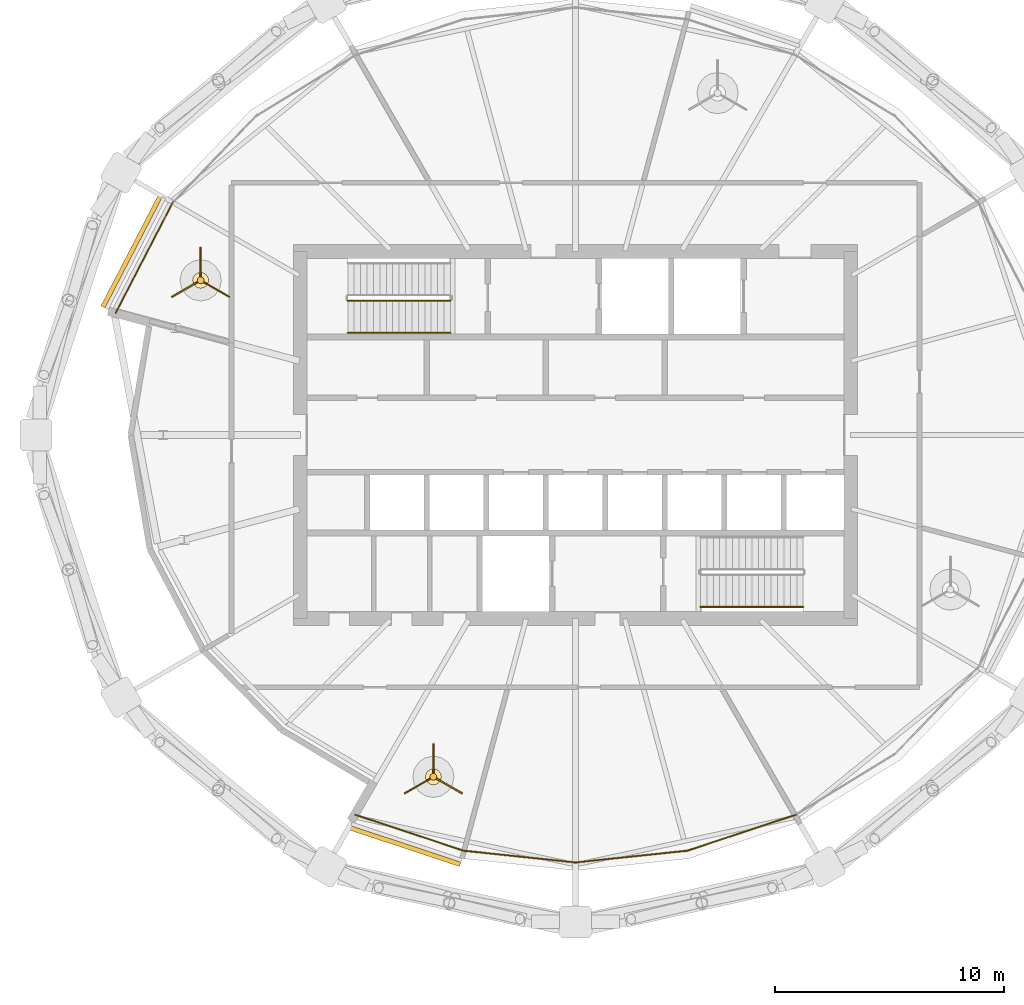
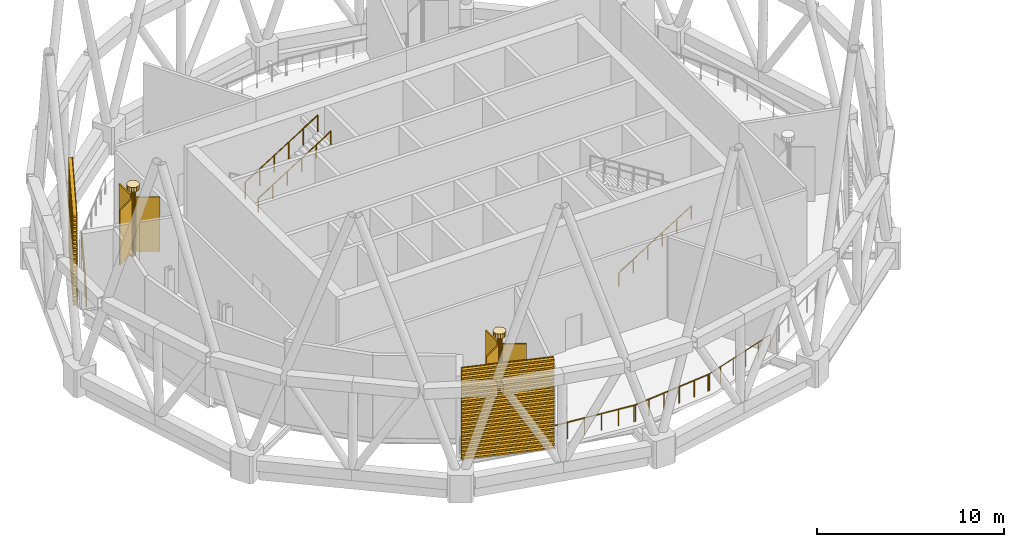
# One storey, part 15 of 22: 10 coverings, 8 railings, 2 shading devices.
"""IFC4 building model written with IfcOpenShell, lengths in metres."""

from ifc_helpers import new_model, si_unit, direction, frame, origin, origin_2d, place, context, subcontext, project, spatial, polyline, circle, outline, extrude, material, material_profile, profile_set, type_object, element, save


model = new_model("IFC4")

# Units and contexts
model_context = context("Model", 3, precision=1e-05, world=origin(), true_north=direction((0.0, 1.0)))
body_context = subcontext(model_context, "Body", "Model", "MODEL_VIEW")
ifc_project = project(units=[si_unit("LENGTHUNIT", "METRE"), si_unit("AREAUNIT", "SQUARE_METRE"), si_unit("VOLUMEUNIT", "CUBIC_METRE"), si_unit("PLANEANGLEUNIT", "RADIAN"), si_unit("MASSUNIT", "GRAM", prefix="KILO")], contexts=[model_context])

# Site, building, storey
site_placement = place(None, origin())
site = spatial("IfcSite", under=ifc_project, at=site_placement, CompositionType="ELEMENT")
building_placement = place(site_placement, origin())
building = spatial("IfcBuilding", under=site, at=building_placement, Name="Rimbun Link Towers", CompositionType="ELEMENT")
storey_placement = place(building_placement, frame((0.0, 0.0, 204.5)))
storey = spatial("IfcBuildingStorey", under=building, at=storey_placement, Name="L50", CompositionType="ELEMENT", Elevation=204.5)

# Railings
ifc_material_1 = material(Name="Stainless steel grade 316", Category="steel")
railing_type_1 = type_object("IfcRailingType", Name="GUARD stainless rail and posts", PredefinedType="GUARDRAIL", material=ifc_material_1)
railing_1_placement = place(storey_placement, frame((-31.7041015625, -18.645751953125, 0.0)))
element("IfcRailing", 1, at=railing_1_placement, inside=storey, type_object=railing_type_1, Name="GUARD open storey edge", PredefinedType="GUARDRAIL", context=body_context, shape_type="SweptSolid", body=[
    extrude(circle(Radius=0.02392578125, at=origin_2d()), frame((0.0, 0.0, 1.076171875), z_axis=(-0.994500344599, 0.104733302211, 0.0), x_axis=(-0.104733302211, -0.994500344599, 0.0)), (0.0, 0.0, 1.0), 4.976806640625),
    extrude(circle(Radius=0.02099609375, at=origin_2d()), origin(), (0.0, 0.0, 1.0), 1.052001953125),
    extrude(circle(Radius=0.02099609375, at=origin_2d()), frame((-0.989990234375, 0.104248046875, 0.0)), (0.0, 0.0, 1.0), 1.052001953125),
    extrude(circle(Radius=0.02099609375, at=origin_2d()), frame((-1.979736328125, 0.20849609375, 0.0)), (0.0, 0.0, 1.0), 1.052001953125),
    extrude(circle(Radius=0.02099609375, at=origin_2d()), frame((-2.9697265625, 0.312744140625, 0.0)), (0.0, 0.0, 1.0), 1.052001953125),
    extrude(circle(Radius=0.02099609375, at=origin_2d()), frame((-3.95947265625, 0.4169921875, 0.0)), (0.0, 0.0, 1.0), 1.052001953125),
    extrude(circle(Radius=0.02099609375, at=origin_2d()), frame((-4.949462890625, 0.521240234375, 0.0)), (0.0, 0.0, 1.0), 1.052001953125),
])
railing_2_placement = place(storey_placement, frame((-26.846435546875, -18.12451171875, 0.0)))
element("IfcRailing", 2, at=railing_2_placement, inside=storey, type_object=railing_type_1, Name="GUARD open storey edge", PredefinedType="GUARDRAIL", context=body_context, shape_type="SweptSolid", body=[
    extrude(circle(Radius=0.02392578125, at=origin_2d()), frame((0.0, 0.0, 1.076171875), z_axis=(-0.994500344599, -0.104733302211, 0.0), x_axis=(0.104733302211, -0.994500344599, 0.0)), (0.0, 0.0, 1.0), 4.976806640625),
    extrude(circle(Radius=0.02099609375, at=origin_2d()), origin(), (0.0, 0.0, 1.0), 1.052001953125),
    extrude(circle(Radius=0.02099609375, at=origin_2d()), frame((-0.989990234375, -0.104248046875, 0.0)), (0.0, 0.0, 1.0), 1.052001953125),
    extrude(circle(Radius=0.02099609375, at=origin_2d()), frame((-1.979736328125, -0.20849609375, 0.0)), (0.0, 0.0, 1.0), 1.052001953125),
    extrude(circle(Radius=0.02099609375, at=origin_2d()), frame((-2.9697265625, -0.312744140625, 0.0)), (0.0, 0.0, 1.0), 1.052001953125),
    extrude(circle(Radius=0.02099609375, at=origin_2d()), frame((-3.95947265625, -0.4169921875, 0.0)), (0.0, 0.0, 1.0), 1.052001953125),
    extrude(circle(Radius=0.02099609375, at=origin_2d()), frame((-4.949462890625, -0.521240234375, 0.0)), (0.0, 0.0, 1.0), 1.052001953125),
])
railing_3_placement = place(storey_placement, frame((-22.1376953125, -16.55859375, 0.0)))
element("IfcRailing", 3, at=railing_3_placement, inside=storey, type_object=railing_type_1, Name="GUARD open storey edge", PredefinedType="GUARDRAIL", context=body_context, shape_type="SweptSolid", body=[
    extrude(circle(Radius=0.02392578125, at=origin_2d()), frame((0.0, 0.0, 1.076171875), z_axis=(-0.949246983251, -0.314531659438, 0.0), x_axis=(0.314531659438, -0.949246983251, 0.0)), (0.0, 0.0, 1.0), 5.053955078125),
    extrude(circle(Radius=0.02099609375, at=origin_2d()), origin(), (0.0, 0.0, 1.0), 1.052001953125),
    extrude(circle(Radius=0.02099609375, at=origin_2d()), frame((-0.95947265625, -0.31787109375, 0.0)), (0.0, 0.0, 1.0), 1.052001953125),
    extrude(circle(Radius=0.02099609375, at=origin_2d()), frame((-1.9189453125, -0.6357421875, 0.0)), (0.0, 0.0, 1.0), 1.052001953125),
    extrude(circle(Radius=0.02099609375, at=origin_2d()), frame((-2.87841796875, -0.953857421875, 0.0)), (0.0, 0.0, 1.0), 1.052001953125),
    extrude(circle(Radius=0.02099609375, at=origin_2d()), frame((-3.837890625, -1.271728515625, 0.0)), (0.0, 0.0, 1.0), 1.052001953125),
    extrude(circle(Radius=0.02099609375, at=origin_2d()), frame((-4.79736328125, -1.589599609375, 0.0)), (0.0, 0.0, 1.0), 1.052001953125),
])
railing_4_placement = place(storey_placement, frame((-51.800537109375, 5.32568359375, 0.0)))
element("IfcRailing", 4, at=railing_4_placement, inside=storey, type_object=railing_type_1, Name="GUARD slot edge", PredefinedType="GUARDRAIL", context=body_context, shape_type="SweptSolid", body=[
    extrude(circle(Radius=0.02392578125, at=origin_2d()), frame((0.0, 0.0, 1.076171875), z_axis=(0.459554167849, 0.888149743463, 0.0), x_axis=(-0.888149743463, 0.459554167849, 0.0)), (0.0, 0.0, 1.0), 5.465087890625),
    extrude(circle(Radius=0.02099609375, at=origin_2d()), origin(), (0.0, 0.0, 1.0), 1.052001953125),
    extrude(circle(Radius=0.02099609375, at=origin_2d()), frame((0.502197265625, 0.970703125, 0.0)), (0.0, 0.0, 1.0), 1.052001953125),
    extrude(circle(Radius=0.02099609375, at=origin_2d()), frame((1.004638671875, 1.94140625, 0.0)), (0.0, 0.0, 1.0), 1.052001953125),
    extrude(circle(Radius=0.02099609375, at=origin_2d()), frame((1.5068359375, 2.912353515625, 0.0)), (0.0, 0.0, 1.0), 1.052001953125),
    extrude(circle(Radius=0.02099609375, at=origin_2d()), frame((2.00927734375, 3.883056640625, 0.0)), (0.0, 0.0, 1.0), 1.052001953125),
    extrude(circle(Radius=0.02099609375, at=origin_2d()), frame((2.511474609375, 4.853759765625, 0.0)), (0.0, 0.0, 1.0), 1.052001953125),
])
railing_5_placement = place(storey_placement, frame((-36.56494140625, -18.148193359375, 0.0)))
element("IfcRailing", 5, at=railing_5_placement, inside=storey, type_object=railing_type_1, Name="GUARD slot edge", PredefinedType="GUARDRAIL", context=body_context, shape_type="SweptSolid", body=[
    extrude(circle(Radius=0.02392578125, at=origin_2d()), frame((0.0, 0.0, 1.076171875), z_axis=(-0.949246983251, 0.314531659438, 0.0), x_axis=(-0.314531659438, -0.949246983251, 0.0)), (0.0, 0.0, 1.0), 5.053955078125),
    extrude(circle(Radius=0.02099609375, at=origin_2d()), origin(), (0.0, 0.0, 1.0), 1.052001953125),
    extrude(circle(Radius=0.02099609375, at=origin_2d()), frame((-0.95947265625, 0.31787109375, 0.0)), (0.0, 0.0, 1.0), 1.052001953125),
    extrude(circle(Radius=0.02099609375, at=origin_2d()), frame((-1.9189453125, 0.6357421875, 0.0)), (0.0, 0.0, 1.0), 1.052001953125),
    extrude(circle(Radius=0.02099609375, at=origin_2d()), frame((-2.87841796875, 0.953857421875, 0.0)), (0.0, 0.0, 1.0), 1.052001953125),
    extrude(circle(Radius=0.02099609375, at=origin_2d()), frame((-3.837890625, 1.271728515625, 0.0)), (0.0, 0.0, 1.0), 1.052001953125),
    extrude(circle(Radius=0.02099609375, at=origin_2d()), frame((-4.79736328125, 1.589599609375, 0.0)), (0.0, 0.0, 1.0), 1.052001953125),
])

# Shading devices
ifc_material_2 = material(Name="Aluminium 6063-T6", Category="aluminium")
ifc_material_profile = material_profile(ifc_material_2, outline(polyline([(0.123046875, 0.0), (0.1630859375, 0.0), (0.1630859375, 0.10009765625), (0.363037109375, 0.10009765625), (0.363037109375, 0.199951171875), (0.1630859375, 0.199951171875), (0.1630859375, 0.35009765625), (0.363037109375, 0.35009765625), (0.363037109375, 0.449951171875), (0.1630859375, 0.449951171875), (0.1630859375, 0.60009765625), (0.363037109375, 0.60009765625), (0.363037109375, 0.699951171875), (0.1630859375, 0.699951171875), (0.1630859375, 0.85009765625), (0.363037109375, 0.85009765625), (0.363037109375, 0.949951171875), (0.1630859375, 0.949951171875), (0.1630859375, 1.10009765625), (0.363037109375, 1.10009765625), (0.363037109375, 1.199951171875), (0.1630859375, 1.199951171875), (0.1630859375, 1.35009765625), (0.363037109375, 1.35009765625), (0.363037109375, 1.449951171875), (0.1630859375, 1.449951171875), (0.1630859375, 1.60009765625), (0.363037109375, 1.60009765625), (0.363037109375, 1.699951171875), (0.1630859375, 1.699951171875), (0.1630859375, 1.85009765625), (0.363037109375, 1.85009765625), (0.363037109375, 1.949951171875), (0.1630859375, 1.949951171875), (0.1630859375, 2.10009765625), (0.363037109375, 2.10009765625), (0.363037109375, 2.199951171875), (0.1630859375, 2.199951171875), (0.1630859375, 2.35009765625), (0.363037109375, 2.35009765625), (0.363037109375, 2.449951171875), (0.1630859375, 2.449951171875), (0.1630859375, 2.60009765625), (0.363037109375, 2.60009765625), (0.363037109375, 2.699951171875), (0.1630859375, 2.699951171875), (0.1630859375, 2.85009765625), (0.363037109375, 2.85009765625), (0.363037109375, 2.949951171875), (0.1630859375, 2.949951171875), (0.1630859375, 3.10009765625), (0.363037109375, 3.10009765625), (0.363037109375, 3.199951171875), (0.1630859375, 3.199951171875), (0.1630859375, 3.35009765625), (0.363037109375, 3.35009765625), (0.363037109375, 3.449951171875), (0.1630859375, 3.449951171875), (0.1630859375, 3.60009765625), (0.363037109375, 3.60009765625), (0.363037109375, 3.699951171875), (0.1630859375, 3.699951171875), (0.1630859375, 3.85009765625), (0.363037109375, 3.85009765625), (0.363037109375, 3.949951171875), (0.1630859375, 3.949951171875), (0.1630859375, 4.10009765625), (0.363037109375, 4.10009765625), (0.363037109375, 4.199951171875), (0.1630859375, 4.199951171875), (0.1630859375, 4.35009765625), (0.363037109375, 4.35009765625), (0.363037109375, 4.449951171875), (0.1630859375, 4.449951171875), (0.1630859375, 4.60009765625), (0.363037109375, 4.60009765625), (0.363037109375, 4.699951171875), (0.1630859375, 4.699951171875), (0.1630859375, 4.85009765625), (0.363037109375, 4.85009765625), (0.363037109375, 4.949951171875), (0.1630859375, 4.949951171875), (0.1630859375, 5.10009765625), (0.363037109375, 5.10009765625), (0.363037109375, 5.199951171875), (0.1630859375, 5.199951171875), (0.1630859375, 5.35009765625), (0.363037109375, 5.35009765625), (0.363037109375, 5.449951171875), (0.1630859375, 5.449951171875), (0.1630859375, 5.60009765625), (0.363037109375, 5.60009765625), (0.363037109375, 5.699951171875), (0.1630859375, 5.699951171875), (0.1630859375, 5.85009765625), (0.363037109375, 5.85009765625), (0.363037109375, 5.949951171875), (0.1630859375, 5.949951171875), (0.1630859375, 6.0), (0.123046875, 6.0), (0.123046875, 0.0)])), Name="LOUVRE BLADES 100X240")
ifc_profile_set = profile_set([ifc_material_profile], Name="Aluminium 6063-T6")
shading_device_type = type_object("IfcShadingDeviceType", Name="LOUVRE SLOT BLADES 100X240 H6000", PredefinedType="JALOUSIE", material=ifc_profile_set)
shading_device_1_placement = place(storey_placement, frame((-52.1240234375, 5.459228515625, 0.0), z_axis=(0.459518928025, 0.888167976673, 0.0), x_axis=(-0.888167976673, 0.459518928025, 0.0)))
element("IfcShadingDevice", 6, at=shading_device_1_placement, inside=storey, type_object=shading_device_type, Name="LOUVRE slot blades", PredefinedType="JALOUSIE", context=body_context, shape_type="SweptSolid", body=[
    extrude(outline(polyline([(0.123046875, 0.0), (0.1630859375, 0.0), (0.1630859375, 0.10009765625), (0.363037109375, 0.10009765625), (0.363037109375, 0.199951171875), (0.1630859375, 0.199951171875), (0.1630859375, 0.35009765625), (0.363037109375, 0.35009765625), (0.363037109375, 0.449951171875), (0.1630859375, 0.449951171875), (0.1630859375, 0.60009765625), (0.363037109375, 0.60009765625), (0.363037109375, 0.699951171875), (0.1630859375, 0.699951171875), (0.1630859375, 0.85009765625), (0.363037109375, 0.85009765625), (0.363037109375, 0.949951171875), (0.1630859375, 0.949951171875), (0.1630859375, 1.10009765625), (0.363037109375, 1.10009765625), (0.363037109375, 1.199951171875), (0.1630859375, 1.199951171875), (0.1630859375, 1.35009765625), (0.363037109375, 1.35009765625), (0.363037109375, 1.449951171875), (0.1630859375, 1.449951171875), (0.1630859375, 1.60009765625), (0.363037109375, 1.60009765625), (0.363037109375, 1.699951171875), (0.1630859375, 1.699951171875), (0.1630859375, 1.85009765625), (0.363037109375, 1.85009765625), (0.363037109375, 1.949951171875), (0.1630859375, 1.949951171875), (0.1630859375, 2.10009765625), (0.363037109375, 2.10009765625), (0.363037109375, 2.199951171875), (0.1630859375, 2.199951171875), (0.1630859375, 2.35009765625), (0.363037109375, 2.35009765625), (0.363037109375, 2.449951171875), (0.1630859375, 2.449951171875), (0.1630859375, 2.60009765625), (0.363037109375, 2.60009765625), (0.363037109375, 2.699951171875), (0.1630859375, 2.699951171875), (0.1630859375, 2.85009765625), (0.363037109375, 2.85009765625), (0.363037109375, 2.949951171875), (0.1630859375, 2.949951171875), (0.1630859375, 3.10009765625), (0.363037109375, 3.10009765625), (0.363037109375, 3.199951171875), (0.1630859375, 3.199951171875), (0.1630859375, 3.35009765625), (0.363037109375, 3.35009765625), (0.363037109375, 3.449951171875), (0.1630859375, 3.449951171875), (0.1630859375, 3.60009765625), (0.363037109375, 3.60009765625), (0.363037109375, 3.699951171875), (0.1630859375, 3.699951171875), (0.1630859375, 3.85009765625), (0.363037109375, 3.85009765625), (0.363037109375, 3.949951171875), (0.1630859375, 3.949951171875), (0.1630859375, 4.10009765625), (0.363037109375, 4.10009765625), (0.363037109375, 4.199951171875), (0.1630859375, 4.199951171875), (0.1630859375, 4.35009765625), (0.363037109375, 4.35009765625), (0.363037109375, 4.449951171875), (0.1630859375, 4.449951171875), (0.1630859375, 4.60009765625), (0.363037109375, 4.60009765625), (0.363037109375, 4.699951171875), (0.1630859375, 4.699951171875), (0.1630859375, 4.85009765625), (0.363037109375, 4.85009765625), (0.363037109375, 4.949951171875), (0.1630859375, 4.949951171875), (0.1630859375, 5.10009765625), (0.363037109375, 5.10009765625), (0.363037109375, 5.199951171875), (0.1630859375, 5.199951171875), (0.1630859375, 5.35009765625), (0.363037109375, 5.35009765625), (0.363037109375, 5.449951171875), (0.1630859375, 5.449951171875), (0.1630859375, 5.60009765625), (0.363037109375, 5.60009765625), (0.363037109375, 5.699951171875), (0.1630859375, 5.699951171875), (0.1630859375, 5.85009765625), (0.363037109375, 5.85009765625), (0.363037109375, 5.949951171875), (0.1630859375, 5.949951171875), (0.1630859375, 6.0), (0.123046875, 6.0), (0.123046875, 0.0)])), origin(), (0.0, 0.0, 1.0), 5.46484375),
])
shading_device_2_placement = place(storey_placement, frame((-36.699462890625, -18.471435546875, 0.0), z_axis=(-0.949227778646, 0.314589612425, 0.0), x_axis=(-0.314589612425, -0.949227778646, 0.0)))
element("IfcShadingDevice", 7, at=shading_device_2_placement, inside=storey, type_object=shading_device_type, Name="LOUVRE slot blades", PredefinedType="JALOUSIE", context=body_context, shape_type="SweptSolid", body=[
    extrude(outline(polyline([(0.123046875, 0.0), (0.1630859375, 0.0), (0.1630859375, 0.10009765625), (0.363037109375, 0.10009765625), (0.363037109375, 0.199951171875), (0.1630859375, 0.199951171875), (0.1630859375, 0.35009765625), (0.363037109375, 0.35009765625), (0.363037109375, 0.449951171875), (0.1630859375, 0.449951171875), (0.1630859375, 0.60009765625), (0.363037109375, 0.60009765625), (0.363037109375, 0.699951171875), (0.1630859375, 0.699951171875), (0.1630859375, 0.85009765625), (0.363037109375, 0.85009765625), (0.363037109375, 0.949951171875), (0.1630859375, 0.949951171875), (0.1630859375, 1.10009765625), (0.363037109375, 1.10009765625), (0.363037109375, 1.199951171875), (0.1630859375, 1.199951171875), (0.1630859375, 1.35009765625), (0.363037109375, 1.35009765625), (0.363037109375, 1.449951171875), (0.1630859375, 1.449951171875), (0.1630859375, 1.60009765625), (0.363037109375, 1.60009765625), (0.363037109375, 1.699951171875), (0.1630859375, 1.699951171875), (0.1630859375, 1.85009765625), (0.363037109375, 1.85009765625), (0.363037109375, 1.949951171875), (0.1630859375, 1.949951171875), (0.1630859375, 2.10009765625), (0.363037109375, 2.10009765625), (0.363037109375, 2.199951171875), (0.1630859375, 2.199951171875), (0.1630859375, 2.35009765625), (0.363037109375, 2.35009765625), (0.363037109375, 2.449951171875), (0.1630859375, 2.449951171875), (0.1630859375, 2.60009765625), (0.363037109375, 2.60009765625), (0.363037109375, 2.699951171875), (0.1630859375, 2.699951171875), (0.1630859375, 2.85009765625), (0.363037109375, 2.85009765625), (0.363037109375, 2.949951171875), (0.1630859375, 2.949951171875), (0.1630859375, 3.10009765625), (0.363037109375, 3.10009765625), (0.363037109375, 3.199951171875), (0.1630859375, 3.199951171875), (0.1630859375, 3.35009765625), (0.363037109375, 3.35009765625), (0.363037109375, 3.449951171875), (0.1630859375, 3.449951171875), (0.1630859375, 3.60009765625), (0.363037109375, 3.60009765625), (0.363037109375, 3.699951171875), (0.1630859375, 3.699951171875), (0.1630859375, 3.85009765625), (0.363037109375, 3.85009765625), (0.363037109375, 3.949951171875), (0.1630859375, 3.949951171875), (0.1630859375, 4.10009765625), (0.363037109375, 4.10009765625), (0.363037109375, 4.199951171875), (0.1630859375, 4.199951171875), (0.1630859375, 4.35009765625), (0.363037109375, 4.35009765625), (0.363037109375, 4.449951171875), (0.1630859375, 4.449951171875), (0.1630859375, 4.60009765625), (0.363037109375, 4.60009765625), (0.363037109375, 4.699951171875), (0.1630859375, 4.699951171875), (0.1630859375, 4.85009765625), (0.363037109375, 4.85009765625), (0.363037109375, 4.949951171875), (0.1630859375, 4.949951171875), (0.1630859375, 5.10009765625), (0.363037109375, 5.10009765625), (0.363037109375, 5.199951171875), (0.1630859375, 5.199951171875), (0.1630859375, 5.35009765625), (0.363037109375, 5.35009765625), (0.363037109375, 5.449951171875), (0.1630859375, 5.449951171875), (0.1630859375, 5.60009765625), (0.363037109375, 5.60009765625), (0.363037109375, 5.699951171875), (0.1630859375, 5.699951171875), (0.1630859375, 5.85009765625), (0.363037109375, 5.85009765625), (0.363037109375, 5.949951171875), (0.1630859375, 5.949951171875), (0.1630859375, 6.0), (0.123046875, 6.0), (0.123046875, 0.0)])), origin(), (0.0, 0.0, 1.0), 5.0537109375),
])

# Railings
ifc_material_3 = material(Name="Stainless steel grade 316", Category="steel")
railing_type_2 = type_object("IfcRailingType", Name="Stair guard", PredefinedType="GUARDRAIL", material=ifc_material_3)
railing_6_placement = place(storey_placement, frame((-41.679931640625, 5.85009765625, 3.176513671875)))
element("IfcRailing", 8, at=railing_6_placement, inside=storey, type_object=railing_type_2, Name="L50 ST1 stair guard 3", PredefinedType="GUARDRAIL", context=body_context, shape_type="SweptSolid", body=[
    extrude(circle(Radius=0.02392578125, at=origin_2d()), frame((0.0, 0.0, 1.076171875), z_axis=(0.845997938375, 0.0, 0.533186166611), x_axis=(0.0, 1.0, 0.0)), (0.0, 0.0, 1.0), 5.29541015625),
    extrude(circle(Radius=0.02099609375, at=origin_2d()), origin(), (0.0, 0.0, 1.0), 1.052001953125),
    extrude(circle(Radius=0.02099609375, at=origin_2d()), frame((0.89599609375, 0.0, 0.564697265625)), (0.0, 0.0, 1.0), 1.052001953125),
    extrude(circle(Radius=0.02099609375, at=origin_2d()), frame((1.7919921875, 0.0, 1.12939453125)), (0.0, 0.0, 1.0), 1.052001953125),
    extrude(circle(Radius=0.02099609375, at=origin_2d()), frame((2.68798828125, 0.0, 1.694091796875)), (0.0, 0.0, 1.0), 1.052001953125),
    extrude(circle(Radius=0.02099609375, at=origin_2d()), frame((3.583984375, 0.0, 2.2587890625)), (0.0, 0.0, 1.0), 1.052001953125),
    extrude(circle(Radius=0.02099609375, at=origin_2d()), frame((4.47998046875, 0.0, 2.823486328125)), (0.0, 0.0, 1.0), 1.052001953125),
])
ifc_material_4 = material(Name="Stainless steel grade 316", Category="steel")
railing_type_3 = type_object("IfcRailingType", Name="Stair handrail", PredefinedType="HANDRAIL", material=ifc_material_4)
for number, where, name in (
    (9, (-41.679931640625, 4.449951171875, 3.176513671875), "L50 ST1 stair handrail 2"),
    (10, (-26.300048828125, -7.5, 0.176513671875), "L50 ST2 stair handrail 1"),
):
    element("IfcRailing", number, at=place(storey_placement, frame(where)), inside=storey, type_object=railing_type_3, Name=name, PredefinedType="HANDRAIL", context=body_context, shape_type="SweptSolid", body=[
        extrude(circle(Radius=0.02392578125, at=origin_2d()), frame((0.0, 0.0, 0.8759765625), z_axis=(0.845997938375, 0.0, 0.533186166611), x_axis=(0.0, 1.0, 0.0)), (0.0, 0.0, 1.0), 5.29541015625),
        extrude(circle(Radius=0.02099609375, at=origin_2d()), origin(), (0.0, 0.0, 1.0), 0.851806640625),
        extrude(circle(Radius=0.02099609375, at=origin_2d()), frame((0.89599609375, 0.0, 0.564697265625)), (0.0, 0.0, 1.0), 0.851806640625),
        extrude(circle(Radius=0.02099609375, at=origin_2d()), frame((1.7919921875, 0.0, 1.12939453125)), (0.0, 0.0, 1.0), 0.851806640625),
        extrude(circle(Radius=0.02099609375, at=origin_2d()), frame((2.68798828125, 0.0, 1.694091796875)), (0.0, 0.0, 1.0), 0.851806640625),
        extrude(circle(Radius=0.02099609375, at=origin_2d()), frame((3.583984375, 0.0, 2.2587890625)), (0.0, 0.0, 1.0), 0.851806640625),
        extrude(circle(Radius=0.02099609375, at=origin_2d()), frame((4.47998046875, 0.0, 2.823486328125)), (0.0, 0.0, 1.0), 0.851806640625),
    ])

# Coverings
ifc_material_5 = material(Name="Stainless steel grade 316", Category="steel")
covering_type_1 = type_object("IfcCoveringType", Name="WIND TURBINE bearing collar 700X300", PredefinedType="CLADDING", material=ifc_material_5)
covering_1_placement = place(storey_placement, frame((0.0, 0.0, 5.56005859375)))
element("IfcCovering", 11, at=covering_1_placement, inside=storey, type_object=covering_type_1, Name="WIND TURBINE bearing collar", PredefinedType="CLADDING", context=body_context, shape_type="SweptSolid", body=[
    extrude(outline(polyline([(-47.7451171875, 6.7421875), (-47.771728515625, 6.876220703125), (-47.84765625, 6.989501953125), (-47.961181640625, 7.0654296875), (-48.09521484375, 7.092041015625), (-48.22900390625, 7.0654296875), (-48.342529296875, 6.989501953125), (-48.41845703125, 6.876220703125), (-48.445068359375, 6.7421875), (-48.41845703125, 6.608154296875), (-48.342529296875, 6.49462890625), (-48.22900390625, 6.418701171875), (-48.09521484375, 6.39208984375), (-47.961181640625, 6.418701171875), (-47.84765625, 6.49462890625), (-47.771728515625, 6.608154296875), (-47.7451171875, 6.7421875)])), origin(), (0.0, 0.0, 1.0), 0.300048828125),
])
covering_2_placement = place(storey_placement, frame((0.0, 0.0, 5.56005859375)))
element("IfcCovering", 12, at=covering_2_placement, inside=storey, type_object=covering_type_1, Name="WIND TURBINE bearing collar", PredefinedType="CLADDING", context=body_context, shape_type="SweptSolid", body=[
    extrude(outline(polyline([(-37.596435546875, -14.906494140625), (-37.623046875, -14.7724609375), (-37.698974609375, -14.658935546875), (-37.8125, -14.5830078125), (-37.946533203125, -14.556396484375), (-38.080322265625, -14.5830078125), (-38.194091796875, -14.658935546875), (-38.27001953125, -14.7724609375), (-38.29638671875, -14.906494140625), (-38.27001953125, -15.040283203125), (-38.194091796875, -15.15380859375), (-38.080322265625, -15.229736328125), (-37.946533203125, -15.25634765625), (-37.8125, -15.229736328125), (-37.698974609375, -15.15380859375), (-37.623046875, -15.040283203125), (-37.596435546875, -14.906494140625)])), origin(), (0.0, 0.0, 1.0), 0.300048828125),
])
ifc_material_6 = material(Name="Aluminium 6063-T6", Category="aluminium")
covering_type_2 = type_object("IfcCoveringType", Name="WIND TURBINE blade 1302X60X3560", PredefinedType="CLADDING", material=ifc_material_6)
covering_3_placement = place(storey_placement, frame((0.0, 0.0, 1.449951171875)))
element("IfcCovering", 13, at=covering_3_placement, inside=storey, type_object=covering_type_2, Name="WIND TURBINE blade", PredefinedType="CLADDING", context=body_context, shape_type="SweptSolid", body=[
    extrude(outline(polyline([(-48.065185546875, 6.89013671875), (-48.065185546875, 8.192138671875), (-48.125, 8.192138671875), (-48.125, 6.89013671875), (-48.065185546875, 6.89013671875)])), origin(), (0.0, 0.0, 1.0), 3.56005859375),
])
covering_4_placement = place(storey_placement, frame((0.0, 0.0, 1.449951171875)))
element("IfcCovering", 14, at=covering_4_placement, inside=storey, type_object=covering_type_2, Name="WIND TURBINE blade", PredefinedType="CLADDING", context=body_context, shape_type="SweptSolid", body=[
    extrude(outline(polyline([(-48.23828125, 6.694091796875), (-49.36572265625, 6.043212890625), (-49.335693359375, 5.9912109375), (-48.208251953125, 6.64208984375), (-48.23828125, 6.694091796875)])), origin(), (0.0, 0.0, 1.0), 3.56005859375),
])
covering_5_placement = place(storey_placement, frame((0.0, 0.0, 1.449951171875)))
element("IfcCovering", 15, at=covering_5_placement, inside=storey, type_object=covering_type_2, Name="WIND TURBINE blade", PredefinedType="CLADDING", context=body_context, shape_type="SweptSolid", body=[
    extrude(outline(polyline([(-47.98193359375, 6.64208984375), (-46.854248046875, 5.9912109375), (-46.82421875, 6.043212890625), (-47.951904296875, 6.694091796875), (-47.98193359375, 6.64208984375)])), origin(), (0.0, 0.0, 1.0), 3.56005859375),
])
covering_6_placement = place(storey_placement, frame((0.0, 0.0, 1.449951171875)))
element("IfcCovering", 16, at=covering_6_placement, inside=storey, type_object=covering_type_2, Name="WIND TURBINE blade", PredefinedType="CLADDING", context=body_context, shape_type="SweptSolid", body=[
    extrude(outline(polyline([(-37.91650390625, -14.75830078125), (-37.91650390625, -13.456298828125), (-37.9765625, -13.456298828125), (-37.9765625, -14.75830078125), (-37.91650390625, -14.75830078125)])), origin(), (0.0, 0.0, 1.0), 3.56005859375),
])
covering_7_placement = place(storey_placement, frame((0.0, 0.0, 1.449951171875)))
element("IfcCovering", 17, at=covering_7_placement, inside=storey, type_object=covering_type_2, Name="WIND TURBINE blade", PredefinedType="CLADDING", context=body_context, shape_type="SweptSolid", body=[
    extrude(outline(polyline([(-38.089599609375, -14.954345703125), (-39.21728515625, -15.60546875), (-39.187255859375, -15.657470703125), (-38.0595703125, -15.00634765625), (-38.089599609375, -14.954345703125)])), origin(), (0.0, 0.0, 1.0), 3.56005859375),
])
covering_8_placement = place(storey_placement, frame((0.0, 0.0, 1.449951171875)))
element("IfcCovering", 18, at=covering_8_placement, inside=storey, type_object=covering_type_2, Name="WIND TURBINE blade", PredefinedType="CLADDING", context=body_context, shape_type="SweptSolid", body=[
    extrude(outline(polyline([(-37.833251953125, -15.00634765625), (-36.705810546875, -15.657470703125), (-36.67578125, -15.60546875), (-37.80322265625, -14.954345703125), (-37.833251953125, -15.00634765625)])), origin(), (0.0, 0.0, 1.0), 3.56005859375),
])
ifc_material_7 = material(Name="Stainless steel grade 316", Category="steel")
covering_type_3 = type_object("IfcCoveringType", Name="WIND TURBINE shaft 300X4360", PredefinedType="CLADDING", material=ifc_material_7)
covering_9_placement = place(storey_placement, frame((0.0, 0.0, 1.199951171875)))
element("IfcCovering", 19, at=covering_9_placement, inside=storey, type_object=covering_type_3, Name="WIND TURBINE shaft", PredefinedType="CLADDING", context=body_context, shape_type="SweptSolid", body=[
    extrude(outline(polyline([(-47.945068359375, 6.7421875), (-47.95654296875, 6.799560546875), (-47.989013671875, 6.84814453125), (-48.03759765625, 6.880615234375), (-48.09521484375, 6.89208984375), (-48.152587890625, 6.880615234375), (-48.201171875, 6.84814453125), (-48.233642578125, 6.799560546875), (-48.2451171875, 6.7421875), (-48.233642578125, 6.684814453125), (-48.201171875, 6.635986328125), (-48.152587890625, 6.603515625), (-48.09521484375, 6.592041015625), (-48.03759765625, 6.603515625), (-47.989013671875, 6.635986328125), (-47.95654296875, 6.684814453125), (-47.945068359375, 6.7421875)])), origin(), (0.0, 0.0, 1.0), 4.360107421875),
])
covering_10_placement = place(storey_placement, frame((0.0, 0.0, 1.199951171875)))
element("IfcCovering", 20, at=covering_10_placement, inside=storey, type_object=covering_type_3, Name="WIND TURBINE shaft", PredefinedType="CLADDING", context=body_context, shape_type="SweptSolid", body=[
    extrude(outline(polyline([(-37.79638671875, -14.906494140625), (-37.807861328125, -14.84912109375), (-37.84033203125, -14.80029296875), (-37.88916015625, -14.767822265625), (-37.946533203125, -14.75634765625), (-38.00390625, -14.767822265625), (-38.052490234375, -14.80029296875), (-38.085205078125, -14.84912109375), (-38.096435546875, -14.906494140625), (-38.085205078125, -14.9638671875), (-38.052490234375, -15.012451171875), (-38.00390625, -15.044921875), (-37.946533203125, -15.056396484375), (-37.88916015625, -15.044921875), (-37.84033203125, -15.012451171875), (-37.807861328125, -14.9638671875), (-37.79638671875, -14.906494140625)])), origin(), (0.0, 0.0, 1.0), 4.360107421875),
])

save(model, "model.ifc")
